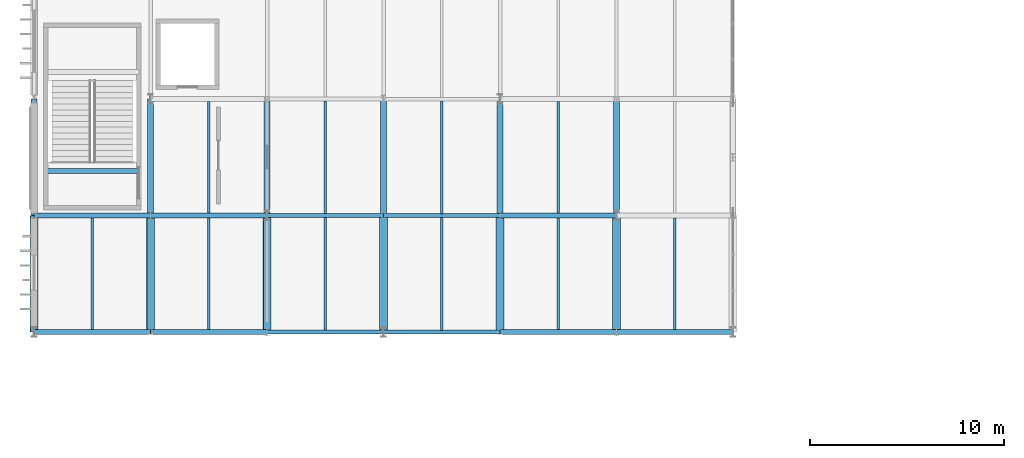
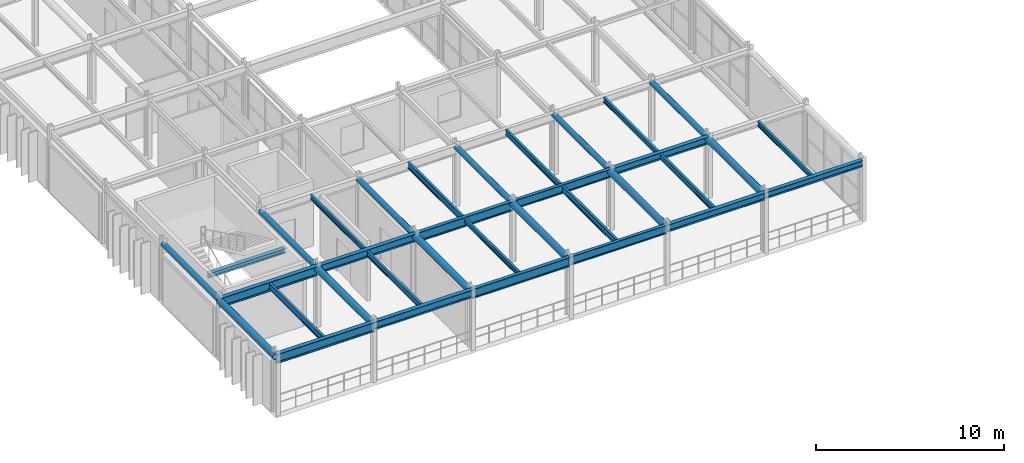
# One storey, part 11 of 83: 34 beams.
"""IFC4 building model written with IfcOpenShell, lengths in metres."""

from ifc_helpers import new_model, si_unit, direction, frame, origin, origin_2d, place, context, subcontext, project, spatial, hollow_circle, i_section, extrude, material, material_profile, profile_set, type_object, element, save


model = new_model("IFC4")

# Units and contexts
model_context = context("Model", 3, precision=1e-05, world=origin(), true_north=direction((0.0, 1.0)))
body_context = subcontext(model_context, "Body", "Model", "MODEL_VIEW")
ifc_project = project(units=[si_unit("LENGTHUNIT", "METRE"), si_unit("AREAUNIT", "SQUARE_METRE"), si_unit("VOLUMEUNIT", "CUBIC_METRE"), si_unit("PLANEANGLEUNIT", "RADIAN"), si_unit("MASSUNIT", "GRAM", prefix="KILO")], contexts=[model_context])

# Site, building, storey
site_placement = place(None, origin())
site = spatial("IfcSite", under=ifc_project, at=site_placement, CompositionType="ELEMENT")
building_placement = place(site_placement, origin())
building = spatial("IfcBuilding", under=site, at=building_placement, Name="Varnakota Square Police Headquarters", CompositionType="ELEMENT")
storey_placement = place(building_placement, frame((0.0, 0.0, 18.0)))
storey = spatial("IfcBuildingStorey", under=building, at=storey_placement, Name="L04", CompositionType="ELEMENT", Elevation=18.0)

# Beams
ifc_material = material(Name="Steel IS 2062 Grade 350", Category="steel")
ifc_material_profile_1 = material_profile(ifc_material, hollow_circle(Radius=0.161865234375, WallThickness=0.0126953125, at=origin_2d()), Name="CHS 323.9x12.7")
ifc_profile_set_1 = profile_set([ifc_material_profile_1], Name="Steel IS 2062 Grade 350")
beam_type_1 = type_object("IfcBeamType", Name="BM-ARC-CHS324", PredefinedType="BEAM", material=ifc_profile_set_1)
for number, where, z_axis, x_axis, name in (
    (1, (6.0, 27.0, 3.738037109375), (0.0, 1.0, 0.0), (-1.0, 0.0, 0.0), "BMG-L04-2931"),
    (2, (12.0, 27.0, 3.738037109375), (0.0, 1.0, 0.0), (-1.0, 0.0, 0.0), "BMG-L04-2938"),
    (3, (18.0, 27.0, 3.738037109375), (0.0, 1.0, 0.0), (-1.0, 0.0, 0.0), "BMG-L04-2945"),
    (4, (24.0, 27.0, 3.738037109375), (0.0, 1.0, 0.0), (-1.0, 0.0, 0.0), "BMG-L04-2952"),
    (5, (30.0, 27.0, 3.738037109375), (0.0, 1.0, 0.0), (-1.0, 0.0, 0.0), "BMG-L04-2956"),
    (6, (36.0, 27.0, 3.738037109375), (0.0, 1.0, 0.0), (-1.0, 0.0, 0.0), "BMG-L04-2963"),
):
    element("IfcBeam", number, at=place(storey_placement, frame(where, z_axis=z_axis, x_axis=x_axis)), inside=storey, type_object=beam_type_1, Name=name, PredefinedType="BEAM", context=body_context, shape_type="SweptSolid", body=[
        extrude(hollow_circle(Radius=0.161865234375, WallThickness=0.0126953125, at=origin_2d()), origin(), (0.0, 0.0, 1.0), 6.0),
    ])
ifc_material_profile_2 = material_profile(ifc_material, hollow_circle(Radius=0.203125, WallThickness=0.01611328125, at=origin_2d()), Name="CHS 406.4x16.0")
ifc_profile_set_2 = profile_set([ifc_material_profile_2], Name="Steel IS 2062 Grade 350")
beam_type_2 = type_object("IfcBeamType", Name="BM-ARC-CHS406", PredefinedType="BEAM", material=ifc_profile_set_2)
for number, where, z_axis, x_axis, name in (
    (7, (6.0, 21.0, 3.69677734375), (0.0, 1.0, 0.0), (-1.0, 0.0, 0.0), "BMG-L04-2930"),
    (8, (12.0, 21.0, 3.69677734375), (0.0, 1.0, 0.0), (-1.0, 0.0, 0.0), "BMG-L04-2937"),
    (9, (18.0, 21.0, 3.69677734375), (0.0, 1.0, 0.0), (-1.0, 0.0, 0.0), "BMG-L04-2944"),
    (10, (24.0, 21.0, 3.69677734375), (0.0, 1.0, 0.0), (-1.0, 0.0, 0.0), "BMG-L04-2951"),
    (11, (30.0, 21.0, 3.69677734375), (0.0, 1.0, 0.0), (-1.0, 0.0, 0.0), "BMG-L04-2955"),
    (12, (36.0, 21.0, 3.69677734375), (0.0, 1.0, 0.0), (-1.0, 0.0, 0.0), "BMG-L04-2962"),
):
    element("IfcBeam", number, at=place(storey_placement, frame(where, z_axis=z_axis, x_axis=x_axis)), inside=storey, type_object=beam_type_2, Name=name, PredefinedType="BEAM", context=body_context, shape_type="SweptSolid", body=[
        extrude(hollow_circle(Radius=0.203125, WallThickness=0.01611328125, at=origin_2d()), origin(), (0.0, 0.0, 1.0), 6.0),
    ])
ifc_material_profile_3 = material_profile(ifc_material, i_section(OverallWidth=0.25, OverallDepth=0.300048828125, WebThickness=0.009521484375, FlangeThickness=0.010498046875, FilletRadius=0.011962890625, at=origin_2d()), Name="ISHB 300")
ifc_profile_set_3 = profile_set([ifc_material_profile_3], Name="Steel IS 2062 Grade 350")
beam_type_3 = type_object("IfcBeamType", Name="BM-ISHB300", PredefinedType="BEAM", material=ifc_profile_set_3)
beam_1_placement = place(storey_placement, frame((6.60009765625, 29.300048828125, 3.75), z_axis=(1.0, 0.0, 0.0), x_axis=(0.0, 1.0, 0.0)))
element("IfcBeam", 13, at=beam_1_placement, inside=storey, type_object=beam_type_3, Name="Stair landing support beam BM-LND-0056", PredefinedType="BEAM", context=body_context, shape_type="SweptSolid", body=[
    extrude(i_section(OverallWidth=0.25, OverallDepth=0.300048828125, WebThickness=0.009521484375, FlangeThickness=0.010498046875, FilletRadius=0.011962890625, at=origin_2d()), origin(), (0.0, 0.0, 1.0), 4.7998046875),
])
ifc_material_profile_4 = material_profile(ifc_material, i_section(OverallWidth=0.25, OverallDepth=0.39990234375, WebThickness=0.010498046875, FlangeThickness=0.0126953125, FilletRadius=0.013916015625, at=origin_2d()), Name="ISHB 400")
ifc_profile_set_4 = profile_set([ifc_material_profile_4], Name="Steel IS 2062 Grade 350")
beam_type_4 = type_object("IfcBeamType", Name="BM-ISHB400", PredefinedType="BEAM", material=ifc_profile_set_4)
beam_2_placement = place(storey_placement, frame((36.0, 21.0, 3.699951171875), z_axis=(1.0, 0.0, 0.0), x_axis=(0.0, 1.0, 0.0)))
element("IfcBeam", 14, at=beam_2_placement, inside=storey, type_object=beam_type_4, Name="BMG-L04-2872", PredefinedType="BEAM", context=body_context, shape_type="SweptSolid", body=[
    extrude(i_section(OverallWidth=0.25, OverallDepth=0.39990234375, WebThickness=0.010498046875, FlangeThickness=0.0126953125, FilletRadius=0.013916015625, at=origin_2d()), origin(), (0.0, 0.0, 1.0), 6.0),
])
ifc_material_profile_5 = material_profile(ifc_material, i_section(OverallWidth=0.25, OverallDepth=0.449951171875, WebThickness=0.01123046875, FlangeThickness=0.013671875, FilletRadius=0.014892578125, at=origin_2d()), Name="ISHB 450")
ifc_profile_set_5 = profile_set([ifc_material_profile_5], Name="Steel IS 2062 Grade 350")
beam_type_5 = type_object("IfcBeamType", Name="BM-ISHB450", PredefinedType="BEAM", material=ifc_profile_set_5)
for number, where, z_axis, x_axis, name in (
    (15, (30.0, 21.0, 3.675048828125), (1.0, 0.0, 0.0), (0.0, 1.0, 0.0), "BMG-L04-2871"),
    (16, (30.0, 27.0, 3.675048828125), (1.0, 0.0, 0.0), (0.0, 1.0, 0.0), "BMG-L04-2881"),
):
    element("IfcBeam", number, at=place(storey_placement, frame(where, z_axis=z_axis, x_axis=x_axis)), inside=storey, type_object=beam_type_5, Name=name, PredefinedType="BEAM", context=body_context, shape_type="SweptSolid", body=[
        extrude(i_section(OverallWidth=0.25, OverallDepth=0.449951171875, WebThickness=0.01123046875, FlangeThickness=0.013671875, FilletRadius=0.014892578125, at=origin_2d()), origin(), (0.0, 0.0, 1.0), 6.0),
    ])
ifc_material_profile_6 = material_profile(ifc_material, i_section(OverallWidth=0.139892578125, OverallDepth=0.300048828125, WebThickness=0.0078125, FlangeThickness=0.01318359375, FilletRadius=0.013916015625, at=origin_2d()), Name="ISMB 300")
ifc_profile_set_6 = profile_set([ifc_material_profile_6], Name="Steel IS 2062 Grade 350")
beam_type_6 = type_object("IfcBeamType", Name="BM-ISMB300", PredefinedType="JOIST", material=ifc_profile_set_6)
beam_3_placement = place(storey_placement, frame((15.0, 27.123046875, 3.75), z_axis=(0.0, 1.0, 0.0), x_axis=(-1.0, 0.0, 0.0)))
element("IfcBeam", 17, at=beam_3_placement, inside=storey, type_object=beam_type_6, Name="BMG-L04-3028", PredefinedType="JOIST", context=body_context, shape_type="SweptSolid", body=[
    extrude(i_section(OverallWidth=0.139892578125, OverallDepth=0.300048828125, WebThickness=0.0078125, FlangeThickness=0.01318359375, FilletRadius=0.013916015625, at=origin_2d()), origin(), (0.0, 0.0, 1.0), 5.75390625),
])
beam_4_placement = place(storey_placement, frame((21.0, 21.10302734375, 3.75), z_axis=(0.0, 1.0, 0.0), x_axis=(-1.0, 0.0, 0.0)))
element("IfcBeam", 18, at=beam_4_placement, inside=storey, type_object=beam_type_6, Name="BMG-L04-3033", PredefinedType="JOIST", context=body_context, shape_type="SweptSolid", body=[
    extrude(i_section(OverallWidth=0.139892578125, OverallDepth=0.300048828125, WebThickness=0.0078125, FlangeThickness=0.01318359375, FilletRadius=0.013916015625, at=origin_2d()), origin(), (0.0, 0.0, 1.0), 5.7939453125),
])
for number, where, z_axis, x_axis, name in (
    (19, (33.0, 27.123046875, 3.75), (0.0, 1.0, 0.0), (-1.0, 0.0, 0.0), "BMG-L04-3042"),
    (20, (39.0, 21.123046875, 3.75), (0.0, 1.0, 0.0), (-1.0, 0.0, 0.0), "BMG-L04-3048"),
):
    element("IfcBeam", number, at=place(storey_placement, frame(where, z_axis=z_axis, x_axis=x_axis)), inside=storey, type_object=beam_type_6, Name=name, PredefinedType="JOIST", context=body_context, shape_type="SweptSolid", body=[
        extrude(i_section(OverallWidth=0.139892578125, OverallDepth=0.300048828125, WebThickness=0.0078125, FlangeThickness=0.01318359375, FilletRadius=0.013916015625, at=origin_2d()), origin(), (0.0, 0.0, 1.0), 5.75390625),
    ])
ifc_material_profile_7 = material_profile(ifc_material, i_section(OverallWidth=0.139892578125, OverallDepth=0.35009765625, WebThickness=0.008056640625, FlangeThickness=0.01416015625, FilletRadius=0.013916015625, at=origin_2d()), Name="ISMB 350")
ifc_profile_set_7 = profile_set([ifc_material_profile_7], Name="Steel IS 2062 Grade 350")
beam_type_7 = type_object("IfcBeamType", Name="BM-ISMB350", PredefinedType="JOIST", material=ifc_profile_set_7)
beam_5_placement = place(storey_placement, frame((15.0, 21.123046875, 3.72509765625), z_axis=(0.0, 1.0, 0.0), x_axis=(-1.0, 0.0, 0.0)))
element("IfcBeam", 21, at=beam_5_placement, inside=storey, type_object=beam_type_7, Name="BMG-L04-3027", PredefinedType="JOIST", context=body_context, shape_type="SweptSolid", body=[
    extrude(i_section(OverallWidth=0.139892578125, OverallDepth=0.35009765625, WebThickness=0.008056640625, FlangeThickness=0.01416015625, FilletRadius=0.013916015625, at=origin_2d()), origin(), (0.0, 0.0, 1.0), 5.75390625),
])
beam_6_placement = place(storey_placement, frame((27.0, 27.093017578125, 3.72509765625), z_axis=(0.0, 1.0, 0.0), x_axis=(-1.0, 0.0, 0.0)))
element("IfcBeam", 22, at=beam_6_placement, inside=storey, type_object=beam_type_7, Name="BMG-L04-3038", PredefinedType="JOIST", context=body_context, shape_type="SweptSolid", body=[
    extrude(i_section(OverallWidth=0.139892578125, OverallDepth=0.35009765625, WebThickness=0.008056640625, FlangeThickness=0.01416015625, FilletRadius=0.013916015625, at=origin_2d()), origin(), (0.0, 0.0, 1.0), 5.81396484375),
])
beam_7_placement = place(storey_placement, frame((33.0, 21.123046875, 3.72509765625), z_axis=(0.0, 1.0, 0.0), x_axis=(-1.0, 0.0, 0.0)))
element("IfcBeam", 23, at=beam_7_placement, inside=storey, type_object=beam_type_7, Name="BMG-L04-3041", PredefinedType="JOIST", context=body_context, shape_type="SweptSolid", body=[
    extrude(i_section(OverallWidth=0.139892578125, OverallDepth=0.35009765625, WebThickness=0.008056640625, FlangeThickness=0.01416015625, FilletRadius=0.013916015625, at=origin_2d()), origin(), (0.0, 0.0, 1.0), 5.75390625),
])
ifc_material_profile_8 = material_profile(ifc_material, i_section(OverallWidth=0.139892578125, OverallDepth=0.39990234375, WebThickness=0.0087890625, FlangeThickness=0.01611328125, FilletRadius=0.013916015625, at=origin_2d()), Name="ISMB 400")
ifc_profile_set_8 = profile_set([ifc_material_profile_8], Name="Steel IS 2062 Grade 350")
beam_type_8 = type_object("IfcBeamType", Name="BM-ISMB400", PredefinedType="JOIST", material=ifc_profile_set_8)
beam_8_placement = place(storey_placement, frame((9.0, 21.123046875, 3.699951171875), z_axis=(0.0, 1.0, 0.0), x_axis=(-1.0, 0.0, 0.0)))
element("IfcBeam", 24, at=beam_8_placement, inside=storey, type_object=beam_type_8, Name="BMG-L04-3022", PredefinedType="JOIST", context=body_context, shape_type="SweptSolid", body=[
    extrude(i_section(OverallWidth=0.139892578125, OverallDepth=0.39990234375, WebThickness=0.0087890625, FlangeThickness=0.01611328125, FilletRadius=0.013916015625, at=origin_2d()), origin(), (0.0, 0.0, 1.0), 5.75390625),
])
beam_9_placement = place(storey_placement, frame((21.0, 27.10302734375, 3.699951171875), z_axis=(0.0, 1.0, 0.0), x_axis=(-1.0, 0.0, 0.0)))
element("IfcBeam", 25, at=beam_9_placement, inside=storey, type_object=beam_type_8, Name="BMG-L04-3034", PredefinedType="JOIST", context=body_context, shape_type="SweptSolid", body=[
    extrude(i_section(OverallWidth=0.139892578125, OverallDepth=0.39990234375, WebThickness=0.0087890625, FlangeThickness=0.01611328125, FilletRadius=0.013916015625, at=origin_2d()), origin(), (0.0, 0.0, 1.0), 5.7939453125),
])
beam_10_placement = place(storey_placement, frame((27.0, 21.093017578125, 3.699951171875), z_axis=(0.0, 1.0, 0.0), x_axis=(-1.0, 0.0, 0.0)))
element("IfcBeam", 26, at=beam_10_placement, inside=storey, type_object=beam_type_8, Name="BMG-L04-3037", PredefinedType="JOIST", context=body_context, shape_type="SweptSolid", body=[
    extrude(i_section(OverallWidth=0.139892578125, OverallDepth=0.39990234375, WebThickness=0.0087890625, FlangeThickness=0.01611328125, FilletRadius=0.013916015625, at=origin_2d()), origin(), (0.0, 0.0, 1.0), 5.81396484375),
])
ifc_material_profile_9 = material_profile(ifc_material, i_section(OverallWidth=0.18994140625, OverallDepth=0.550048828125, WebThickness=0.01123046875, FlangeThickness=0.019287109375, FilletRadius=0.01806640625, at=origin_2d()), Name="ISMB 550")
ifc_profile_set_9 = profile_set([ifc_material_profile_9], Name="Steel IS 2062 Grade 350")
beam_type_9 = type_object("IfcBeamType", Name="BM-ISMB550", PredefinedType="BEAM", material=ifc_profile_set_9)
for number, where, z_axis, x_axis, name in (
    (27, (24.0, 21.0, 3.625), (1.0, 0.0, 0.0), (0.0, 1.0, 0.0), "BMG-L04-2870"),
    (28, (24.0, 27.0, 3.625), (1.0, 0.0, 0.0), (0.0, 1.0, 0.0), "BMG-L04-2880"),
):
    element("IfcBeam", number, at=place(storey_placement, frame(where, z_axis=z_axis, x_axis=x_axis)), inside=storey, type_object=beam_type_9, Name=name, PredefinedType="BEAM", context=body_context, shape_type="SweptSolid", body=[
        extrude(i_section(OverallWidth=0.18994140625, OverallDepth=0.550048828125, WebThickness=0.01123046875, FlangeThickness=0.019287109375, FilletRadius=0.01806640625, at=origin_2d()), origin(), (0.0, 0.0, 1.0), 6.0),
    ])
ifc_material_profile_10 = material_profile(ifc_material, i_section(OverallWidth=0.2099609375, OverallDepth=0.60009765625, WebThickness=0.011962890625, FlangeThickness=0.020751953125, FilletRadius=0.02001953125, at=origin_2d()), Name="ISMB 600")
ifc_profile_set_10 = profile_set([ifc_material_profile_10], Name="Steel IS 2062 Grade 350")
beam_type_10 = type_object("IfcBeamType", Name="BM-ISMB600", PredefinedType="BEAM", material=ifc_profile_set_10)
for number, where, z_axis, x_axis, name in (
    (29, (18.0, 21.0, 3.60009765625), (1.0, 0.0, 0.0), (0.0, 1.0, 0.0), "BMG-L04-2869"),
    (30, (18.0, 27.0, 3.60009765625), (1.0, 0.0, 0.0), (0.0, 1.0, 0.0), "BMG-L04-2879"),
):
    element("IfcBeam", number, at=place(storey_placement, frame(where, z_axis=z_axis, x_axis=x_axis)), inside=storey, type_object=beam_type_10, Name=name, PredefinedType="BEAM", context=body_context, shape_type="SweptSolid", body=[
        extrude(i_section(OverallWidth=0.2099609375, OverallDepth=0.60009765625, WebThickness=0.011962890625, FlangeThickness=0.020751953125, FilletRadius=0.02001953125, at=origin_2d()), origin(), (0.0, 0.0, 1.0), 6.0),
    ])
ifc_material_profile_11 = material_profile(ifc_material, i_section(OverallWidth=0.25, OverallDepth=0.5, WebThickness=0.010009765625, FlangeThickness=0.0146484375, FilletRadius=0.014892578125, at=origin_2d()), Name="ISWB 500")
ifc_profile_set_11 = profile_set([ifc_material_profile_11], Name="Steel IS 2062 Grade 350")
beam_type_11 = type_object("IfcBeamType", Name="BM-ISWB500", PredefinedType="BEAM", material=ifc_profile_set_11)
for number, where, z_axis, x_axis, name in (
    (31, (12.0, 21.0, 3.64990234375), (1.0, 0.0, 0.0), (0.0, 1.0, 0.0), "BMG-L04-2868"),
    (32, (12.0, 27.0, 3.64990234375), (1.0, 0.0, 0.0), (0.0, 1.0, 0.0), "BMG-L04-2878"),
):
    element("IfcBeam", number, at=place(storey_placement, frame(where, z_axis=z_axis, x_axis=x_axis)), inside=storey, type_object=beam_type_11, Name=name, PredefinedType="BEAM", context=body_context, shape_type="SweptSolid", body=[
        extrude(i_section(OverallWidth=0.25, OverallDepth=0.5, WebThickness=0.010009765625, FlangeThickness=0.0146484375, FilletRadius=0.014892578125, at=origin_2d()), origin(), (0.0, 0.0, 1.0), 6.0),
    ])
ifc_material_profile_12 = material_profile(ifc_material, i_section(OverallWidth=0.25, OverallDepth=0.60009765625, WebThickness=0.01171875, FlangeThickness=0.023681640625, FilletRadius=0.01708984375, at=origin_2d()), Name="ISWB 600")
ifc_profile_set_12 = profile_set([ifc_material_profile_12], Name="Steel IS 2062 Grade 350")
beam_type_12 = type_object("IfcBeamType", Name="BM-ISWB600", PredefinedType="BEAM", material=ifc_profile_set_12)
for number, where, z_axis, x_axis, name in (
    (33, (6.0, 21.0, 3.60009765625), (1.0, 0.0, 0.0), (0.0, 1.0, 0.0), "BMG-L04-2867"),
    (34, (6.0, 27.0, 3.60009765625), (1.0, 0.0, 0.0), (0.0, 1.0, 0.0), "BMG-L04-2877"),
):
    element("IfcBeam", number, at=place(storey_placement, frame(where, z_axis=z_axis, x_axis=x_axis)), inside=storey, type_object=beam_type_12, Name=name, PredefinedType="BEAM", context=body_context, shape_type="SweptSolid", body=[
        extrude(i_section(OverallWidth=0.25, OverallDepth=0.60009765625, WebThickness=0.01171875, FlangeThickness=0.023681640625, FilletRadius=0.01708984375, at=origin_2d()), origin(), (0.0, 0.0, 1.0), 6.0),
    ])

save(model, "model.ifc")
